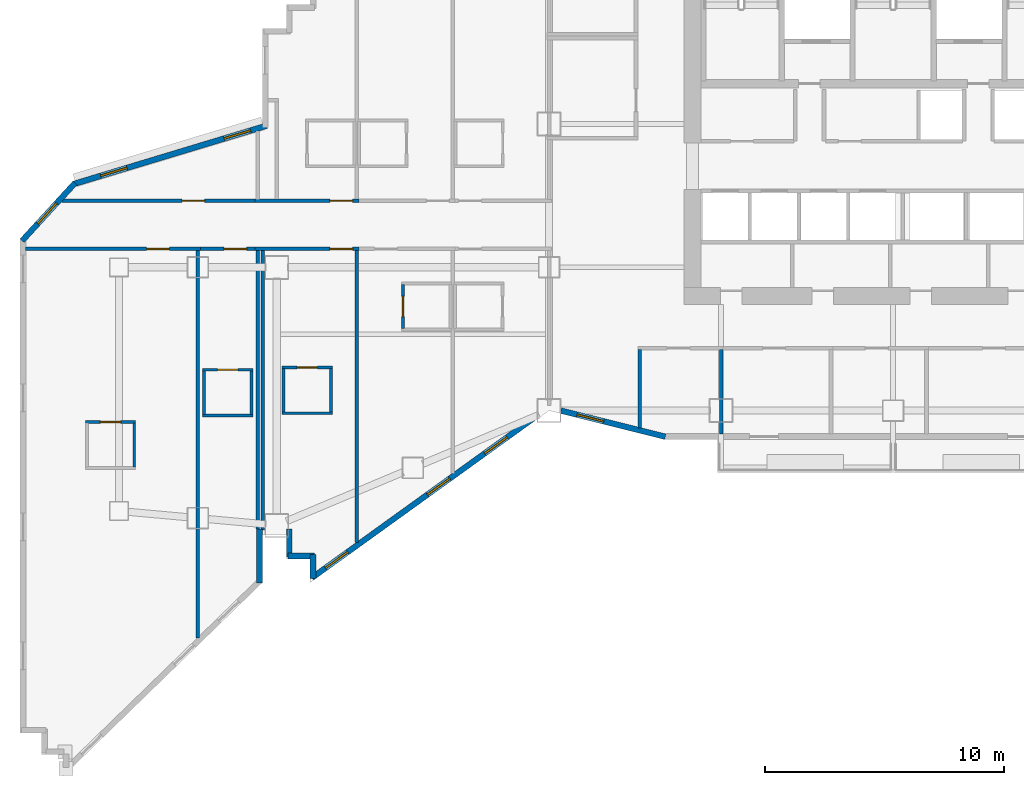
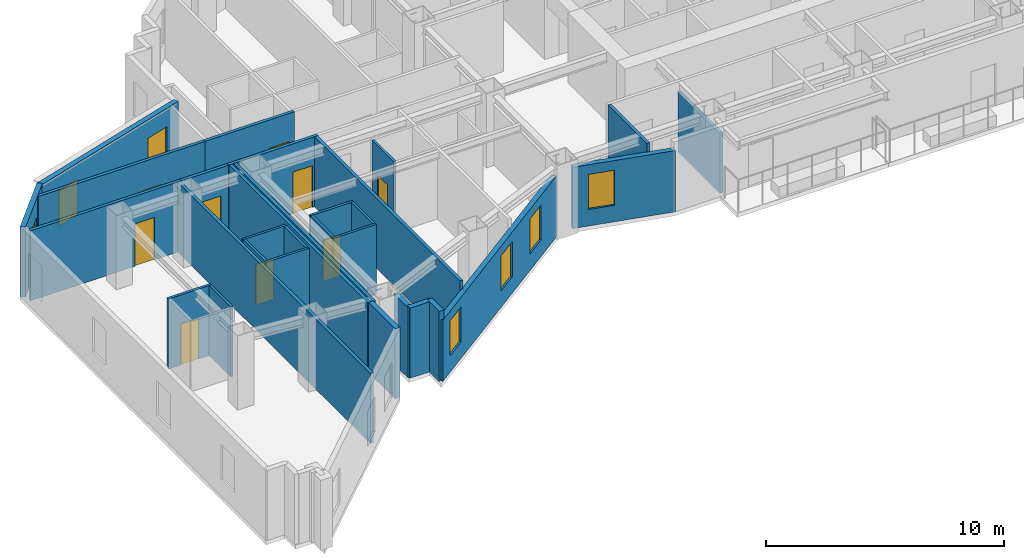
# One storey, part 6 of 14: 30 walls, 9 doors, 7 windows, 16 openings.
"""IFC4 building model written with IfcOpenShell, lengths in metres."""

from ifc_helpers import new_model, si_unit, direction, frame, frame_2d, origin, place, context, subcontext, project, spatial, rectangle, extrude, material, layer, layer_set, type_object, element, fill, save


model = new_model("IFC4")

# Units and contexts
model_context = context("Model", 3, precision=1e-05, world=origin(), true_north=direction((0.0, 1.0)))
body_context = subcontext(model_context, "Body", "Model", "MODEL_VIEW")
ifc_project = project(units=[si_unit("LENGTHUNIT", "METRE"), si_unit("AREAUNIT", "SQUARE_METRE"), si_unit("VOLUMEUNIT", "CUBIC_METRE"), si_unit("PLANEANGLEUNIT", "RADIAN"), si_unit("MASSUNIT", "GRAM", prefix="KILO")], contexts=[model_context])

# Site, building, storey
site_placement = place(None, origin())
site = spatial("IfcSite", under=ifc_project, at=site_placement, CompositionType="ELEMENT")
building_placement = place(site_placement, origin())
building = spatial("IfcBuilding", under=site, at=building_placement, Name="Haolan Belvedere Tower", CompositionType="ELEMENT")
storey_placement = place(building_placement, frame((0.0, 0.0, 121.199951171875)))
storey = spatial("IfcBuildingStorey", under=building, at=storey_placement, Name="L30", CompositionType="ELEMENT", Elevation=121.199951171875)

# Walls
ifc_material_1 = material(Name="Precast concrete C40/50", Category="concrete")
ifc_layer_1 = layer(ifc_material_1, 0.239990234375, Name="Precast concrete C40/50")
ifc_layer_set_1 = layer_set([ifc_layer_1], Name="Precast concrete C40/50")
wall_type_1 = type_object("IfcWallType", Name="WL-EXT-240", PredefinedType="SOLIDWALL", material=ifc_layer_set_1)
wall_1_placement = place(storey_placement, frame((13.1201171875, 16.639892578125, 0.0), z_axis=(0.0, 0.0, 1.0), x_axis=(0.0, -1.0, 0.0)))
element("IfcWall", 1, at=wall_1_placement, inside=storey, type_object=wall_type_1, Name="L30 pale-metal exterior spandrel wall 2.1", PredefinedType="SOLIDWALL", context=body_context, shape_type="SweptSolid", body=[
    extrude(rectangle(XDim=1.1748046875, YDim=0.239990234375, at=frame_2d((0.58740234375, 0.0))), origin(), (0.0, 0.0, 1.0), 3.60009765625),
])
wall_2_placement = place(storey_placement, frame((13.06494140625, 15.52001953125, 0.0), z_axis=(0.0, 0.0, 1.0), x_axis=(1.0, 0.0, 0.0)))
element("IfcWall", 2, at=wall_2_placement, inside=storey, type_object=wall_type_1, Name="L30 pale-metal exterior spandrel wall 3.1", PredefinedType="SOLIDWALL", context=body_context, shape_type="SweptSolid", body=[
    extrude(rectangle(XDim=1.110107421875, YDim=0.239990234375, at=frame_2d((0.55517578125, 0.0))), origin(), (0.0, 0.0, 1.0), 3.60009765625),
])
wall_3_placement = place(storey_placement, frame((14.1201171875, 15.574951171875, 0.0), z_axis=(0.0, 0.0, 1.0), x_axis=(0.0, -1.0, 0.0)))
element("IfcWall", 3, at=wall_3_placement, inside=storey, type_object=wall_type_1, Name="L30 pale-metal exterior spandrel wall 4.1", PredefinedType="SOLIDWALL", context=body_context, shape_type="SweptSolid", body=[
    extrude(rectangle(XDim=0.99560546875, YDim=0.239990234375, at=frame_2d((0.497802734375, 0.0))), origin(), (0.0, 0.0, 1.0), 3.60009765625),
])

# Wall, openings, windows
wall_4_placement = place(storey_placement, frame((14.075439453125, 14.602294921875, 0.0), z_axis=(0.0, 0.0, 1.0), x_axis=(0.811543504691, 0.584291998913, 0.0)))
wall_4 = element("IfcWall", 4, at=wall_4_placement, inside=storey, type_object=wall_type_1, Name="L30 pale-metal exterior spandrel wall 5.1", PredefinedType="SOLIDWALL", context=body_context, shape_type="SweptSolid", body=[
    extrude(rectangle(XDim=11.623046875, YDim=0.239990234375, at=frame_2d((5.8115234375, 0.0))), origin(), (0.0, 0.0, 1.0), 3.14501953125),
])
opening_1_placement = place(wall_4_placement, frame((0.699951171875, 0.0, 0.85009765625)))
opening_1 = element("IfcOpeningElement", 5, at=opening_1_placement, cuts=wall_4, Name="Opening W-02", PredefinedType="OPENING", context=body_context, shape_type="SweptSolid", body=[
    extrude(rectangle(XDim=1.14990234375, YDim=1.800048828125, at=frame_2d((0.574951171875, 0.89990234375))), frame((0.0, 0.1298828125, 0.0), z_axis=(0.0, -1.0, 0.0), x_axis=(1.0, 0.0, 0.0)), (0.0, 0.0, 1.0), 0.260009765625),
])
opening_2_placement = place(wall_4_placement, frame((5.9541015625, 0.0, 0.85009765625)))
opening_2 = element("IfcOpeningElement", 6, at=opening_2_placement, cuts=wall_4, Name="Opening W-02", PredefinedType="OPENING", context=body_context, shape_type="SweptSolid", body=[
    extrude(rectangle(XDim=1.14990234375, YDim=1.800048828125, at=frame_2d((0.574951171875, 0.89990234375))), frame((0.0, 0.1298828125, 0.0), z_axis=(0.0, -1.0, 0.0), x_axis=(1.0, 0.0, 0.0)), (0.0, 0.0, 1.0), 0.260009765625),
])
opening_3_placement = place(wall_4_placement, frame((8.912841796875, 0.0, 0.85009765625)))
opening_3 = element("IfcOpeningElement", 7, at=opening_3_placement, cuts=wall_4, Name="Opening W-02", PredefinedType="OPENING", context=body_context, shape_type="SweptSolid", body=[
    extrude(rectangle(XDim=1.14990234375, YDim=1.800048828125, at=frame_2d((0.574951171875, 0.89990234375))), frame((0.0, 0.1298828125, 0.0), z_axis=(0.0, -1.0, 0.0), x_axis=(1.0, 0.0, 0.0)), (0.0, 0.0, 1.0), 0.260009765625),
])
ifc_material_2 = material(Name="Anodised aluminium 6063-T6 and Low-E glass", Category="aluminium")
window_type = type_object("IfcWindowType", Name="WN-DECO-Z2", PartitioningType="SINGLE_PANEL", PredefinedType="WINDOW", material=ifc_material_2)
window_1_placement = place(opening_1_placement, origin())
window_1 = element("IfcWindow", 8, at=window_1_placement, inside=storey, type_object=window_type, Name="L30 Art Deco chevron window 1", OverallHeight=1.800048828125, OverallWidth=1.14990234375, PartitioningType="SINGLE_PANEL", PredefinedType="WINDOW", context=body_context, shape_type="SweptSolid", body=[
    extrude(rectangle(XDim=1.14990234375, YDim=1.800048828125, at=frame_2d((0.574951171875, 0.89990234375))), frame((0.0, 0.030029296875, 0.0), z_axis=(0.0, -1.0, 0.0), x_axis=(1.0, 0.0, 0.0)), (0.0, 0.0, 1.0), 0.06005859375),
])
fill(opening_1, window_1)
window_2_placement = place(opening_2_placement, origin())
window_2 = element("IfcWindow", 9, at=window_2_placement, inside=storey, type_object=window_type, Name="L30 Art Deco chevron window 2", OverallHeight=1.800048828125, OverallWidth=1.14990234375, PartitioningType="SINGLE_PANEL", PredefinedType="WINDOW", context=body_context, shape_type="SweptSolid", body=[
    extrude(rectangle(XDim=1.14990234375, YDim=1.800048828125, at=frame_2d((0.574951171875, 0.89990234375))), frame((0.0, 0.030029296875, 0.0), z_axis=(0.0, -1.0, 0.0), x_axis=(1.0, 0.0, 0.0)), (0.0, 0.0, 1.0), 0.06005859375),
])
fill(opening_2, window_2)
window_3_placement = place(opening_3_placement, origin())
window_3 = element("IfcWindow", 10, at=window_3_placement, inside=storey, type_object=window_type, Name="L30 Art Deco guestroom window 1", OverallHeight=1.800048828125, OverallWidth=1.14990234375, PartitioningType="SINGLE_PANEL", PredefinedType="WINDOW", context=body_context, shape_type="SweptSolid", body=[
    extrude(rectangle(XDim=1.14990234375, YDim=1.800048828125, at=frame_2d((0.574951171875, 0.89990234375))), frame((0.0, 0.030029296875, 0.0), z_axis=(0.0, -1.0, 0.0), x_axis=(1.0, 0.0, 0.0)), (0.0, 0.0, 1.0), 0.06005859375),
])
fill(opening_3, window_3)

# Wall, opening, window
wall_5_placement = place(storey_placement, frame((24.491943359375, 21.6005859375, 0.0), z_axis=(0.0, 0.0, 1.0), x_axis=(0.970145683738, -0.242522890311, 0.0)))
wall_5 = element("IfcWall", 11, at=wall_5_placement, inside=storey, type_object=wall_type_1, Name="L30 pale-metal exterior spandrel wall 6.1", PredefinedType="SOLIDWALL", context=body_context, shape_type="SweptSolid", body=[
    extrude(rectangle(XDim=4.510986328125, YDim=0.239990234375, at=frame_2d((2.25537109375, 0.0))), origin(), (0.0, 0.0, 1.0), 3.14501953125),
])
opening_4_placement = place(wall_5_placement, frame((0.699951171875, 0.0, 0.85009765625)))
opening_4 = element("IfcOpeningElement", 12, at=opening_4_placement, cuts=wall_5, Name="Opening W-02", PredefinedType="OPENING", context=body_context, shape_type="SweptSolid", body=[
    extrude(rectangle(XDim=1.14990234375, YDim=1.800048828125, at=frame_2d((0.574951171875, 0.89990234375))), frame((0.0, 0.1298828125, 0.0), z_axis=(0.0, -1.0, 0.0), x_axis=(1.0, 0.0, 0.0)), (0.0, 0.0, 1.0), 0.260009765625),
])
window_4_placement = place(opening_4_placement, origin())
window_4 = element("IfcWindow", 13, at=window_4_placement, inside=storey, type_object=window_type, Name="L30 Art Deco chevron window 1", OverallHeight=1.800048828125, OverallWidth=1.14990234375, PartitioningType="SINGLE_PANEL", PredefinedType="WINDOW", context=body_context, shape_type="SweptSolid", body=[
    extrude(rectangle(XDim=1.14990234375, YDim=1.800048828125, at=frame_2d((0.574951171875, 0.89990234375))), frame((0.0, 0.030029296875, 0.0), z_axis=(0.0, -1.0, 0.0), x_axis=(1.0, 0.0, 0.0)), (0.0, 0.0, 1.0), 0.06005859375),
])
fill(opening_4, window_4)

# Wall, openings, windows
wall_6_placement = place(storey_placement, frame((12.172607421875, 33.52685546875, 0.0), z_axis=(0.0, 0.0, 1.0), x_axis=(-0.957230199513, -0.289327401294, 0.0)))
wall_6 = element("IfcWall", 14, at=wall_6_placement, inside=storey, type_object=wall_type_1, Name="L30 pale-metal exterior spandrel wall 42.1", PredefinedType="SOLIDWALL", context=body_context, shape_type="SweptSolid", body=[
    extrude(rectangle(XDim=8.4609375, YDim=0.239990234375, at=frame_2d((4.23046875, 0.0))), origin(), (0.0, 0.0, 1.0), 3.60009765625),
])
opening_5_placement = place(wall_6_placement, frame((0.699951171875, 0.0, 0.85009765625)))
opening_5 = element("IfcOpeningElement", 15, at=opening_5_placement, cuts=wall_6, Name="Opening W-02", PredefinedType="OPENING", context=body_context, shape_type="SweptSolid", body=[
    extrude(rectangle(XDim=1.14990234375, YDim=1.800048828125, at=frame_2d((0.574951171875, 0.89990234375))), frame((0.0, 0.1298828125, 0.0), z_axis=(0.0, -1.0, 0.0), x_axis=(1.0, 0.0, 0.0)), (0.0, 0.0, 1.0), 0.260009765625),
])
opening_6_placement = place(wall_6_placement, frame((6.10009765625, 0.0, 0.85009765625)))
opening_6 = element("IfcOpeningElement", 16, at=opening_6_placement, cuts=wall_6, Name="Opening W-02", PredefinedType="OPENING", context=body_context, shape_type="SweptSolid", body=[
    extrude(rectangle(XDim=1.14990234375, YDim=1.800048828125, at=frame_2d((0.574951171875, 0.89990234375))), frame((0.0, 0.1298828125, 0.0), z_axis=(0.0, -1.0, 0.0), x_axis=(1.0, 0.0, 0.0)), (0.0, 0.0, 1.0), 0.260009765625),
])
window_5_placement = place(opening_5_placement, origin())
window_5 = element("IfcWindow", 17, at=window_5_placement, inside=storey, type_object=window_type, Name="L30 Art Deco chevron window 1", OverallHeight=1.800048828125, OverallWidth=1.14990234375, PartitioningType="SINGLE_PANEL", PredefinedType="WINDOW", context=body_context, shape_type="SweptSolid", body=[
    extrude(rectangle(XDim=1.14990234375, YDim=1.800048828125, at=frame_2d((0.574951171875, 0.89990234375))), frame((0.0, 0.030029296875, 0.0), z_axis=(0.0, -1.0, 0.0), x_axis=(1.0, 0.0, 0.0)), (0.0, 0.0, 1.0), 0.06005859375),
])
fill(opening_5, window_5)
window_6_placement = place(opening_6_placement, origin())
window_6 = element("IfcWindow", 18, at=window_6_placement, inside=storey, type_object=window_type, Name="L30 Art Deco chevron window 2", OverallHeight=1.800048828125, OverallWidth=1.14990234375, PartitioningType="SINGLE_PANEL", PredefinedType="WINDOW", context=body_context, shape_type="SweptSolid", body=[
    extrude(rectangle(XDim=1.14990234375, YDim=1.800048828125, at=frame_2d((0.574951171875, 0.89990234375))), frame((0.0, 0.030029296875, 0.0), z_axis=(0.0, -1.0, 0.0), x_axis=(1.0, 0.0, 0.0)), (0.0, 0.0, 1.0), 0.06005859375),
])
fill(opening_6, window_6)

# Wall, opening, window
wall_7_placement = place(storey_placement, frame((4.163330078125, 31.13525390625, 0.0), z_axis=(0.0, 0.0, 1.0), x_axis=(-0.675717899837, -0.737160308101, 0.0)))
wall_7 = element("IfcWall", 19, at=wall_7_placement, inside=storey, type_object=wall_type_1, Name="L30 pale-metal exterior spandrel wall 43.1", PredefinedType="SOLIDWALL", context=body_context, shape_type="SweptSolid", body=[
    extrude(rectangle(XDim=3.2861328125, YDim=0.239990234375, at=frame_2d((1.64306640625, 0.0))), origin(), (0.0, 0.0, 1.0), 3.60009765625),
])
opening_7_placement = place(wall_7_placement, frame((1.1630859375, 0.0, 0.85009765625)))
opening_7 = element("IfcOpeningElement", 20, at=opening_7_placement, cuts=wall_7, Name="Opening W-02", PredefinedType="OPENING", context=body_context, shape_type="SweptSolid", body=[
    extrude(rectangle(XDim=1.14990234375, YDim=1.800048828125, at=frame_2d((0.574951171875, 0.89990234375))), frame((0.0, 0.1298828125, 0.0), z_axis=(0.0, -1.0, 0.0), x_axis=(1.0, 0.0, 0.0)), (0.0, 0.0, 1.0), 0.260009765625),
])
window_7_placement = place(opening_7_placement, origin())
window_7 = element("IfcWindow", 21, at=window_7_placement, inside=storey, type_object=window_type, Name="L30 Art Deco chevron window 1", OverallHeight=1.800048828125, OverallWidth=1.14990234375, PartitioningType="SINGLE_PANEL", PredefinedType="WINDOW", context=body_context, shape_type="SweptSolid", body=[
    extrude(rectangle(XDim=1.14990234375, YDim=1.800048828125, at=frame_2d((0.574951171875, 0.89990234375))), frame((0.0, 0.030029296875, 0.0), z_axis=(0.0, -1.0, 0.0), x_axis=(1.0, 0.0, 0.0)), (0.0, 0.0, 1.0), 0.06005859375),
])
fill(opening_7, window_7)

# Walls
wall_8_placement = place(storey_placement, frame((11.8798828125, 14.395751953125, 0.0), z_axis=(0.0, 0.0, 1.0), x_axis=(0.0, 1.0, 0.0)))
element("IfcWall", 22, at=wall_8_placement, inside=storey, type_object=wall_type_1, Name="L30 pale-metal exterior spandrel wall 50.1", PredefinedType="SOLIDWALL", context=body_context, shape_type="SweptSolid", body=[
    extrude(rectangle(XDim=2.244140625, YDim=0.239990234375, at=frame_2d((1.1220703125, 0.0))), origin(), (0.0, 0.0, 1.0), 3.60009765625),
])
ifc_material_3 = material(Name="Double gypsum acoustic stud partition", Category="masonry")
ifc_layer_2 = layer(ifc_material_3, 0.14990234375, Name="Double gypsum acoustic stud partition")
ifc_layer_set_2 = layer_set([ifc_layer_2], Name="Double gypsum acoustic stud partition")
wall_type_2 = type_object("IfcWallType", Name="WL-PART-150", PredefinedType="PARTITIONING", material=ifc_layer_set_2)
wall_9_placement = place(storey_placement, frame((27.800048828125, 20.882080078125, 0.0), z_axis=(0.0, 0.0, 1.0), x_axis=(0.0, 1.0, 0.0)))
element("IfcWall", 23, at=wall_9_placement, inside=storey, type_object=wall_type_2, Name="L30 interior partition IW-L30-KS2-W", PredefinedType="PARTITIONING", context=body_context, shape_type="SweptSolid", body=[
    extrude(rectangle(XDim=3.27783203125, YDim=0.14990234375, at=frame_2d((1.638916015625, 0.0))), origin(), (0.0, 0.0, 1.0), 3.60009765625),
])
wall_10_placement = place(storey_placement, frame((31.199951171875, 20.625, 0.0), z_axis=(0.0, 0.0, 1.0), x_axis=(0.0, 1.0, 0.0)))
element("IfcWall", 24, at=wall_10_placement, inside=storey, type_object=wall_type_2, Name="L30 interior partition IW-L30-KS2-E", PredefinedType="PARTITIONING", context=body_context, shape_type="SweptSolid", body=[
    extrude(rectangle(XDim=3.534912109375, YDim=0.14990234375, at=frame_2d((1.767578125, 0.0))), origin(), (0.0, 0.0, 1.0), 3.0849609375),
])

# Wall, opening, door
wall_11_placement = place(storey_placement, frame((11.699951171875, 30.3798828125, 0.0), z_axis=(0.0, 0.0, 1.0), x_axis=(1.0, 0.0, 0.0)))
wall_11 = element("IfcWall", 25, at=wall_11_placement, inside=storey, type_object=wall_type_2, Name="L30 interior partition IW-L30-T2N1-S", PredefinedType="PARTITIONING", context=body_context, shape_type="SweptSolid", body=[
    extrude(rectangle(XDim=4.35009765625, YDim=0.14990234375, at=frame_2d((2.175048828125, 0.0))), origin(), (0.0, 0.0, 1.0), 3.60009765625),
])
opening_8_placement = place(wall_11_placement, frame((3.1298828125, 0.0, 0.0)))
opening_8 = element("IfcOpeningElement", 26, at=opening_8_placement, cuts=wall_11, Name="Opening ID-02", PredefinedType="OPENING", context=body_context, shape_type="SweptSolid", body=[
    extrude(rectangle(XDim=0.949951171875, YDim=2.14990234375, at=frame_2d((0.47509765625, 1.074951171875))), frame((0.0, 0.0849609375, 0.0), z_axis=(0.0, -1.0, 0.0), x_axis=(1.0, 0.0, 0.0)), (0.0, 0.0, 1.0), 0.169921875),
])
ifc_material_4 = material(Name="Acoustic oak veneer fire-rated timber", Category="wood")
door_type_1 = type_object("IfcDoorType", Name="DR-GUEST-950", OperationType="NOTDEFINED", PredefinedType="DOOR", material=ifc_material_4)
door_1_placement = place(opening_8_placement, origin())
door_1 = element("IfcDoor", 27, at=door_1_placement, inside=storey, type_object=door_type_1, Name="L30 door ID-L30-T2N1-ENT", OperationType="SINGLE_SWING_LEFT", OverallHeight=2.14990234375, OverallWidth=0.949951171875, PredefinedType="DOOR", context=body_context, shape_type="SweptSolid", body=[
    extrude(rectangle(XDim=0.949951171875, YDim=2.14990234375, at=frame_2d((0.47509765625, 1.074951171875))), frame((0.0, 0.02490234375, 0.0), z_axis=(0.0, -1.0, 0.0), x_axis=(1.0, 0.0, 0.0)), (0.0, 0.0, 1.0), 0.050048828125),
])
fill(opening_8, door_1)

wall_12_placement = place(storey_placement, frame((11.699951171875, 28.3701171875, 0.0), z_axis=(0.0, 0.0, 1.0), x_axis=(1.0, 0.0, 0.0)))
wall_12 = element("IfcWall", 28, at=wall_12_placement, inside=storey, type_object=wall_type_2, Name="L30 interior partition IW-L30-T2S1-N", PredefinedType="PARTITIONING", context=body_context, shape_type="SweptSolid", body=[
    extrude(rectangle(XDim=4.35009765625, YDim=0.14990234375, at=frame_2d((2.175048828125, 0.0))), origin(), (0.0, 0.0, 1.0), 3.60009765625),
])
opening_9_placement = place(wall_12_placement, frame((4.079833984375, 0.0, 0.0), z_axis=(0.0, 0.0, 1.0), x_axis=(-1.0, 0.0, 0.0)))
opening_9 = element("IfcOpeningElement", 29, at=opening_9_placement, cuts=wall_12, Name="Opening ID-02", PredefinedType="OPENING", context=body_context, shape_type="SweptSolid", body=[
    extrude(rectangle(XDim=0.949951171875, YDim=2.14990234375, at=frame_2d((0.47509765625, 1.074951171875))), frame((0.0, 0.0849609375, 0.0), z_axis=(0.0, -1.0, 0.0), x_axis=(1.0, 0.0, 0.0)), (0.0, 0.0, 1.0), 0.169921875),
])
door_2_placement = place(opening_9_placement, origin())
door_2 = element("IfcDoor", 30, at=door_2_placement, inside=storey, type_object=door_type_1, Name="L30 door ID-L30-T2S1-ENT", OperationType="SINGLE_SWING_RIGHT", OverallHeight=2.14990234375, OverallWidth=0.949951171875, PredefinedType="DOOR", context=body_context, shape_type="SweptSolid", body=[
    extrude(rectangle(XDim=0.949951171875, YDim=2.14990234375, at=frame_2d((0.47509765625, 1.074951171875))), frame((0.0, 0.02490234375, 0.0), z_axis=(0.0, -1.0, 0.0), x_axis=(1.0, 0.0, 0.0)), (0.0, 0.0, 1.0), 0.050048828125),
])
fill(opening_9, door_2)

# Walls
wall_13_placement = place(storey_placement, frame((11.800048828125, 16.64208984375, 0.0), z_axis=(0.0, 0.0, 1.0), x_axis=(0.0, 1.0, 0.0)))
element("IfcWall", 31, at=wall_13_placement, inside=storey, type_object=wall_type_2, Name="L30 interior partition IW-L30-T2S1-W", PredefinedType="PARTITIONING", context=body_context, shape_type="SweptSolid", body=[
    extrude(rectangle(XDim=11.66796875, YDim=0.14990234375, at=frame_2d((5.833984375, 0.0))), origin(), (0.0, 0.0, 1.0), 3.60009765625),
])
wall_14_placement = place(storey_placement, frame((15.949951171875, 16.081298828125, 0.0), z_axis=(0.0, 0.0, 1.0), x_axis=(0.0, 1.0, 0.0)))
element("IfcWall", 32, at=wall_14_placement, inside=storey, type_object=wall_type_2, Name="L30 interior partition IW-L30-T2S1-E", PredefinedType="PARTITIONING", context=body_context, shape_type="SweptSolid", body=[
    extrude(rectangle(XDim=12.228759765625, YDim=0.14990234375, at=frame_2d((6.1142578125, 0.0))), origin(), (0.0, 0.0, 1.0), 3.60009765625),
])

# Wall, opening, door
wall_15_placement = place(storey_placement, frame((2.0849609375, 28.3701171875, 0.0), z_axis=(0.0, 0.0, 1.0), x_axis=(1.0, 0.0, 0.0)))
wall_15 = element("IfcWall", 33, at=wall_15_placement, inside=storey, type_object=wall_type_2, Name="L30 interior partition IW-L30-T1S1-N", PredefinedType="PARTITIONING", context=body_context, shape_type="SweptSolid", body=[
    extrude(rectangle(XDim=7.31494140625, YDim=0.14990234375, at=frame_2d((3.657470703125, 0.0))), origin(), (0.0, 0.0, 1.0), 3.60009765625),
])
opening_10_placement = place(wall_15_placement, frame((6.020751953125, 0.0, 0.0), z_axis=(0.0, 0.0, 1.0), x_axis=(-1.0, 0.0, 0.0)))
opening_10 = element("IfcOpeningElement", 34, at=opening_10_placement, cuts=wall_15, Name="Opening ID-01", PredefinedType="OPENING", context=body_context, shape_type="SweptSolid", body=[
    extrude(rectangle(XDim=0.949951171875, YDim=2.179931640625, at=frame_2d((0.47509765625, 1.08984375))), frame((0.0, 0.0849609375, 0.0), z_axis=(0.0, -1.0, 0.0), x_axis=(1.0, 0.0, 0.0)), (0.0, 0.0, 1.0), 0.169921875),
])
ifc_material_5 = material(Name="Acoustic walnut veneer fire-rated timber", Category="wood")
door_type_2 = type_object("IfcDoorType", Name="DR-SUITE-950", OperationType="NOTDEFINED", PredefinedType="DOOR", material=ifc_material_5)
door_3_placement = place(opening_10_placement, origin())
door_3 = element("IfcDoor", 35, at=door_3_placement, inside=storey, type_object=door_type_2, Name="L30 door ID-L30-T1S1-ENT", OperationType="SINGLE_SWING_LEFT", OverallHeight=2.179931640625, OverallWidth=0.949951171875, PredefinedType="DOOR", context=body_context, shape_type="SweptSolid", body=[
    extrude(rectangle(XDim=0.949951171875, YDim=2.179931640625, at=frame_2d((0.47509765625, 1.08984375))), frame((0.0, 0.02490234375, 0.0), z_axis=(0.0, -1.0, 0.0), x_axis=(1.0, 0.0, 0.0)), (0.0, 0.0, 1.0), 0.050048828125),
])
fill(opening_10, door_3)

# Wall
wall_16_placement = place(storey_placement, frame((9.300048828125, 12.09033203125, 0.0), z_axis=(0.0, 0.0, 1.0), x_axis=(0.0, 1.0, 0.0)))
element("IfcWall", 36, at=wall_16_placement, inside=storey, type_object=wall_type_2, Name="L30 interior partition IW-L30-T1S1-E", PredefinedType="PARTITIONING", context=body_context, shape_type="SweptSolid", body=[
    extrude(rectangle(XDim=16.2197265625, YDim=0.14990234375, at=frame_2d((8.10986328125, 0.0))), origin(), (0.0, 0.0, 1.0), 3.60009765625),
])

# Wall, opening, door
wall_17_placement = place(storey_placement, frame((9.402099609375, 28.3701171875, 0.0), z_axis=(0.0, 0.0, 1.0), x_axis=(1.0, 0.0, 0.0)))
wall_17 = element("IfcWall", 37, at=wall_17_placement, inside=storey, type_object=wall_type_2, Name="L30 interior partition IW-L30-T1S2-N", PredefinedType="PARTITIONING", context=body_context, shape_type="SweptSolid", body=[
    extrude(rectangle(XDim=2.2958984375, YDim=0.14990234375, at=frame_2d((1.14794921875, 0.0))), origin(), (0.0, 0.0, 1.0), 3.60009765625),
])
opening_11_placement = place(wall_17_placement, frame((1.93408203125, 0.0, 0.0), z_axis=(0.0, 0.0, 1.0), x_axis=(-1.0, 0.0, 0.0)))
opening_11 = element("IfcOpeningElement", 38, at=opening_11_placement, cuts=wall_17, Name="Opening ID-02", PredefinedType="OPENING", context=body_context, shape_type="SweptSolid", body=[
    extrude(rectangle(XDim=0.949951171875, YDim=2.14990234375, at=frame_2d((0.47509765625, 1.074951171875))), frame((0.0, 0.0849609375, 0.0), z_axis=(0.0, -1.0, 0.0), x_axis=(1.0, 0.0, 0.0)), (0.0, 0.0, 1.0), 0.169921875),
])
door_4_placement = place(opening_11_placement, origin())
door_4 = element("IfcDoor", 39, at=door_4_placement, inside=storey, type_object=door_type_1, Name="L30 door ID-L30-T1S2-ENT", OperationType="SINGLE_SWING_RIGHT", OverallHeight=2.14990234375, OverallWidth=0.949951171875, PredefinedType="DOOR", context=body_context, shape_type="SweptSolid", body=[
    extrude(rectangle(XDim=0.949951171875, YDim=2.14990234375, at=frame_2d((0.47509765625, 1.074951171875))), frame((0.0, 0.02490234375, 0.0), z_axis=(0.0, -1.0, 0.0), x_axis=(1.0, 0.0, 0.0)), (0.0, 0.0, 1.0), 0.050048828125),
])
fill(opening_11, door_4)

# Wall
wall_18_placement = place(storey_placement, frame((12.02001953125, 16.612060546875, 0.0), z_axis=(0.0, 0.0, 1.0), x_axis=(0.0, 1.0, 0.0)))
element("IfcWall", 40, at=wall_18_placement, inside=storey, type_object=wall_type_2, Name="L30 interior partition IW-L30-T1S2-E", PredefinedType="PARTITIONING", context=body_context, shape_type="SweptSolid", body=[
    extrude(rectangle(XDim=11.697998046875, YDim=0.14990234375, at=frame_2d((5.84912109375, 0.0))), origin(), (0.0, 0.0, 1.0), 3.60009765625),
])

# Wall, opening, door
wall_19_placement = place(storey_placement, frame((3.613525390625, 30.3798828125, 0.0), z_axis=(0.0, 0.0, 1.0), x_axis=(1.0, 0.0, 0.0)))
wall_19 = element("IfcWall", 41, at=wall_19_placement, inside=storey, type_object=wall_type_2, Name="L30 interior partition IW-L30-T1N1-S", PredefinedType="PARTITIONING", context=body_context, shape_type="SweptSolid", body=[
    extrude(rectangle(XDim=8.08447265625, YDim=0.14990234375, at=frame_2d((4.042236328125, 0.0))), origin(), (0.0, 0.0, 1.0), 3.60009765625),
])
opening_12_placement = place(wall_19_placement, frame((5.02392578125, 0.0, 0.0)))
opening_12 = element("IfcOpeningElement", 42, at=opening_12_placement, cuts=wall_19, Name="Opening ID-03", PredefinedType="OPENING", context=body_context, shape_type="SweptSolid", body=[
    extrude(rectangle(XDim=0.949951171875, YDim=2.1201171875, at=frame_2d((0.47509765625, 1.06005859375))), frame((0.0, 0.0849609375, 0.0), z_axis=(0.0, -1.0, 0.0), x_axis=(1.0, 0.0, 0.0)), (0.0, 0.0, 1.0), 0.169921875),
])
ifc_material_6 = material(Name="Painted solid-core timber", Category="wood")
door_type_3 = type_object("IfcDoorType", Name="DR-INT-950", OperationType="NOTDEFINED", PredefinedType="DOOR", material=ifc_material_6)
door_5_placement = place(opening_12_placement, origin())
door_5 = element("IfcDoor", 43, at=door_5_placement, inside=storey, type_object=door_type_3, Name="L30 door ID-L30-T1N1", OperationType="SINGLE_SWING_LEFT", OverallHeight=2.1201171875, OverallWidth=0.949951171875, PredefinedType="DOOR", context=body_context, shape_type="SweptSolid", body=[
    extrude(rectangle(XDim=0.949951171875, YDim=2.1201171875, at=frame_2d((0.47509765625, 1.06005859375))), frame((0.0, 0.02490234375, 0.0), z_axis=(0.0, -1.0, 0.0), x_axis=(1.0, 0.0, 0.0)), (0.0, 0.0, 1.0), 0.050048828125),
])
fill(opening_12, door_5)

ifc_material_7 = material(Name="Moisture-resistant gypsum tile partition", Category="masonry")
ifc_layer_3 = layer(ifc_material_7, 0.1201171875, Name="Moisture-resistant gypsum tile partition")
ifc_layer_set_3 = layer_set([ifc_layer_3], Name="Moisture-resistant gypsum tile partition")
wall_type_3 = type_object("IfcWallType", Name="WL-WET-120", PredefinedType="PARTITIONING", material=ifc_layer_set_3)
wall_20_placement = place(storey_placement, frame((12.824951171875, 23.409912109375, 0.0), z_axis=(0.0, 0.0, 1.0), x_axis=(1.0, 0.0, 0.0)))
wall_20 = element("IfcWall", 44, at=wall_20_placement, inside=storey, type_object=wall_type_3, Name="L30 interior partition IW-L30-T2S1-BN", PredefinedType="PARTITIONING", context=body_context, shape_type="SweptSolid", body=[
    extrude(rectangle(XDim=2.10009765625, YDim=0.1201171875, at=frame_2d((1.050048828125, 0.0))), origin(), (0.0, 0.0, 1.0), 3.60009765625),
])
opening_13_placement = place(wall_20_placement, frame((1.47509765625, 0.0, 0.0), z_axis=(0.0, 0.0, 1.0), x_axis=(-1.0, 0.0, 0.0)))
opening_13 = element("IfcOpeningElement", 45, at=opening_13_placement, cuts=wall_20, Name="Opening ID-05", PredefinedType="OPENING", context=body_context, shape_type="SweptSolid", body=[
    extrude(rectangle(XDim=0.85009765625, YDim=2.10009765625, at=frame_2d((0.425048828125, 1.050048828125))), frame((0.0, 0.070068359375, 0.0), z_axis=(0.0, -1.0, 0.0), x_axis=(1.0, 0.0, 0.0)), (0.0, 0.0, 1.0), 0.14013671875),
])
ifc_material_8 = material(Name="Moisture-resistant lacquered timber", Category="wood")
door_type_4 = type_object("IfcDoorType", Name="DR-BATH-850", OperationType="NOTDEFINED", PredefinedType="DOOR", material=ifc_material_8)
door_6_placement = place(opening_13_placement, origin())
door_6 = element("IfcDoor", 46, at=door_6_placement, inside=storey, type_object=door_type_4, Name="L30 door ID-L30-T2S1-BATH", OperationType="SINGLE_SWING_LEFT", OverallHeight=2.10009765625, OverallWidth=0.85009765625, PredefinedType="DOOR", context=body_context, shape_type="SweptSolid", body=[
    extrude(rectangle(XDim=0.85009765625, YDim=2.10009765625, at=frame_2d((0.425048828125, 1.050048828125))), frame((0.0, 0.02490234375, 0.0), z_axis=(0.0, -1.0, 0.0), x_axis=(1.0, 0.0, 0.0)), (0.0, 0.0, 1.0), 0.050048828125),
])
fill(opening_13, door_6)

# Walls
wall_21_placement = place(storey_placement, frame((12.824951171875, 21.489990234375, 0.0), z_axis=(0.0, 0.0, 1.0), x_axis=(1.0, 0.0, 0.0)))
element("IfcWall", 47, at=wall_21_placement, inside=storey, type_object=wall_type_3, Name="L30 interior partition IW-L30-T2S1-BS", PredefinedType="PARTITIONING", context=body_context, shape_type="SweptSolid", body=[
    extrude(rectangle(XDim=2.10009765625, YDim=0.1201171875, at=frame_2d((1.050048828125, 0.0))), origin(), (0.0, 0.0, 1.0), 3.60009765625),
])
for number, where, z_axis, x_axis, name in (
    (48, (12.885009765625, 21.534912109375, 0.0), (0.0, 0.0, 1.0), (0.0, 1.0, 0.0), "L30 interior partition IW-L30-T2S1-BW"),
    (49, (14.864990234375, 21.534912109375, 0.0), (0.0, 0.0, 1.0), (0.0, 1.0, 0.0), "L30 interior partition IW-L30-T2S1-BE"),
):
    element("IfcWall", number, at=place(storey_placement, frame(where, z_axis=z_axis, x_axis=x_axis)), inside=storey, type_object=wall_type_3, Name=name, PredefinedType="PARTITIONING", context=body_context, shape_type="SweptSolid", body=[
        extrude(rectangle(XDim=1.830078125, YDim=0.1201171875, at=frame_2d((0.9150390625, 0.0))), origin(), (0.0, 0.0, 1.0), 3.60009765625),
    ])

# Wall, opening, door
wall_22_placement = place(storey_placement, frame((17.889892578125, 25.044921875, 0.0), z_axis=(0.0, 0.0, 1.0), x_axis=(0.0, 1.0, 0.0)))
wall_22 = element("IfcWall", 50, at=wall_22_placement, inside=storey, type_object=wall_type_3, Name="L30 interior partition IW-L30-T2S2-BW", PredefinedType="PARTITIONING", context=body_context, shape_type="SweptSolid", body=[
    extrude(rectangle(XDim=1.830078125, YDim=0.1201171875, at=frame_2d((0.9150390625, 0.0))), origin(), (0.0, 0.0, 1.0), 3.60009765625),
])
opening_14_placement = place(wall_22_placement, frame((1.340087890625, 0.0, 0.0), z_axis=(0.0, 0.0, 1.0), x_axis=(-1.0, 0.0, 0.0)))
opening_14 = element("IfcOpeningElement", 51, at=opening_14_placement, cuts=wall_22, Name="Opening ID-05", PredefinedType="OPENING", context=body_context, shape_type="SweptSolid", body=[
    extrude(rectangle(XDim=0.85009765625, YDim=2.10009765625, at=frame_2d((0.425048828125, 1.050048828125))), frame((0.0, 0.070068359375, 0.0), z_axis=(0.0, -1.0, 0.0), x_axis=(1.0, 0.0, 0.0)), (0.0, 0.0, 1.0), 0.14013671875),
])
door_7_placement = place(opening_14_placement, origin())
door_7 = element("IfcDoor", 52, at=door_7_placement, inside=storey, type_object=door_type_4, Name="L30 door ID-L30-T2S2-BATH", OperationType="SINGLE_SWING_RIGHT", OverallHeight=2.10009765625, OverallWidth=0.85009765625, PredefinedType="DOOR", context=body_context, shape_type="SweptSolid", body=[
    extrude(rectangle(XDim=0.85009765625, YDim=2.10009765625, at=frame_2d((0.425048828125, 1.050048828125))), frame((0.0, 0.02490234375, 0.0), z_axis=(0.0, -1.0, 0.0), x_axis=(1.0, 0.0, 0.0)), (0.0, 0.0, 1.0), 0.050048828125),
])
fill(opening_14, door_7)

wall_23_placement = place(storey_placement, frame((4.594970703125, 21.1240234375, 0.0), z_axis=(0.0, 0.0, 1.0), x_axis=(1.0, 0.0, 0.0)))
wall_23 = element("IfcWall", 53, at=wall_23_placement, inside=storey, type_object=wall_type_3, Name="L30 interior partition IW-L30-T1S1-BN", PredefinedType="PARTITIONING", context=body_context, shape_type="SweptSolid", body=[
    extrude(rectangle(XDim=2.10009765625, YDim=0.1201171875, at=frame_2d((1.050048828125, 0.0))), origin(), (0.0, 0.0, 1.0), 3.60009765625),
])
opening_15_placement = place(wall_23_placement, frame((1.47509765625, 0.0, 0.0), z_axis=(0.0, 0.0, 1.0), x_axis=(-1.0, 0.0, 0.0)))
opening_15 = element("IfcOpeningElement", 54, at=opening_15_placement, cuts=wall_23, Name="Opening ID-05", PredefinedType="OPENING", context=body_context, shape_type="SweptSolid", body=[
    extrude(rectangle(XDim=0.85009765625, YDim=2.10009765625, at=frame_2d((0.425048828125, 1.050048828125))), frame((0.0, 0.070068359375, 0.0), z_axis=(0.0, -1.0, 0.0), x_axis=(1.0, 0.0, 0.0)), (0.0, 0.0, 1.0), 0.14013671875),
])
door_8_placement = place(opening_15_placement, origin())
door_8 = element("IfcDoor", 55, at=door_8_placement, inside=storey, type_object=door_type_4, Name="L30 door ID-L30-T1S1-BATH", OperationType="SINGLE_SWING_RIGHT", OverallHeight=2.10009765625, OverallWidth=0.85009765625, PredefinedType="DOOR", context=body_context, shape_type="SweptSolid", body=[
    extrude(rectangle(XDim=0.85009765625, YDim=2.10009765625, at=frame_2d((0.425048828125, 1.050048828125))), frame((0.0, 0.02490234375, 0.0), z_axis=(0.0, -1.0, 0.0), x_axis=(1.0, 0.0, 0.0)), (0.0, 0.0, 1.0), 0.050048828125),
])
fill(opening_15, door_8)

# Wall
wall_24_placement = place(storey_placement, frame((6.635009765625, 19.2490234375, 0.0), z_axis=(0.0, 0.0, 1.0), x_axis=(0.0, 1.0, 0.0)))
element("IfcWall", 56, at=wall_24_placement, inside=storey, type_object=wall_type_3, Name="L30 interior partition IW-L30-T1S1-BE", PredefinedType="PARTITIONING", context=body_context, shape_type="SweptSolid", body=[
    extrude(rectangle(XDim=1.830078125, YDim=0.1201171875, at=frame_2d((0.9150390625, 0.0))), origin(), (0.0, 0.0, 1.0), 3.60009765625),
])

# Wall, opening, door
wall_25_placement = place(storey_placement, frame((9.5, 23.31005859375, 0.0), z_axis=(0.0, 0.0, 1.0), x_axis=(1.0, 0.0, 0.0)))
wall_25 = element("IfcWall", 57, at=wall_25_placement, inside=storey, type_object=wall_type_3, Name="L30 interior partition IW-L30-T1S2-BN", PredefinedType="PARTITIONING", context=body_context, shape_type="SweptSolid", body=[
    extrude(rectangle(XDim=2.10009765625, YDim=0.1201171875, at=frame_2d((1.050048828125, 0.0))), origin(), (0.0, 0.0, 1.0), 3.60009765625),
])
opening_16_placement = place(wall_25_placement, frame((1.47509765625, 0.0, 0.0), z_axis=(0.0, 0.0, 1.0), x_axis=(-1.0, 0.0, 0.0)))
opening_16 = element("IfcOpeningElement", 58, at=opening_16_placement, cuts=wall_25, Name="Opening ID-05", PredefinedType="OPENING", context=body_context, shape_type="SweptSolid", body=[
    extrude(rectangle(XDim=0.85009765625, YDim=2.10009765625, at=frame_2d((0.425048828125, 1.050048828125))), frame((0.0, 0.070068359375, 0.0), z_axis=(0.0, -1.0, 0.0), x_axis=(1.0, 0.0, 0.0)), (0.0, 0.0, 1.0), 0.14013671875),
])
door_9_placement = place(opening_16_placement, origin())
door_9 = element("IfcDoor", 59, at=door_9_placement, inside=storey, type_object=door_type_4, Name="L30 door ID-L30-T1S2-BATH", OperationType="SINGLE_SWING_LEFT", OverallHeight=2.10009765625, OverallWidth=0.85009765625, PredefinedType="DOOR", context=body_context, shape_type="SweptSolid", body=[
    extrude(rectangle(XDim=0.85009765625, YDim=2.10009765625, at=frame_2d((0.425048828125, 1.050048828125))), frame((0.0, 0.02490234375, 0.0), z_axis=(0.0, -1.0, 0.0), x_axis=(1.0, 0.0, 0.0)), (0.0, 0.0, 1.0), 0.050048828125),
])
fill(opening_16, door_9)

# Walls
wall_26_placement = place(storey_placement, frame((9.5, 21.389892578125, 0.0), z_axis=(0.0, 0.0, 1.0), x_axis=(1.0, 0.0, 0.0)))
element("IfcWall", 60, at=wall_26_placement, inside=storey, type_object=wall_type_3, Name="L30 interior partition IW-L30-T1S2-BS", PredefinedType="PARTITIONING", context=body_context, shape_type="SweptSolid", body=[
    extrude(rectangle(XDim=2.10009765625, YDim=0.1201171875, at=frame_2d((1.050048828125, 0.0))), origin(), (0.0, 0.0, 1.0), 3.60009765625),
])
for number, where, z_axis, x_axis, name in (
    (61, (9.56005859375, 21.43505859375, 0.0), (0.0, 0.0, 1.0), (0.0, 1.0, 0.0), "L30 interior partition IW-L30-T1S2-BW"),
    (62, (11.5400390625, 21.43505859375, 0.0), (0.0, 0.0, 1.0), (0.0, 1.0, 0.0), "L30 interior partition IW-L30-T1S2-BE"),
):
    element("IfcWall", number, at=place(storey_placement, frame(where, z_axis=z_axis, x_axis=x_axis)), inside=storey, type_object=wall_type_3, Name=name, PredefinedType="PARTITIONING", context=body_context, shape_type="SweptSolid", body=[
        extrude(rectangle(XDim=1.829833984375, YDim=0.1201171875, at=frame_2d((0.9150390625, 0.0))), origin(), (0.0, 0.0, 1.0), 3.60009765625),
    ])

save(model, "model.ifc")
